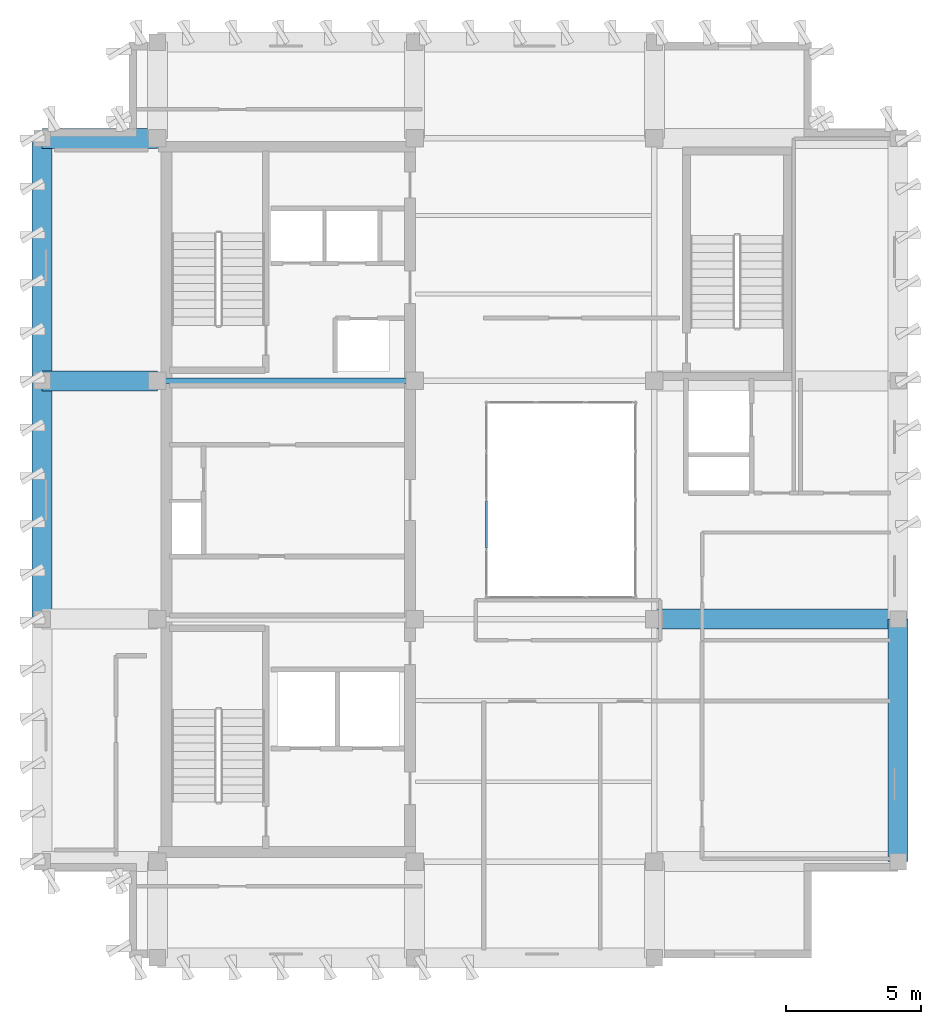
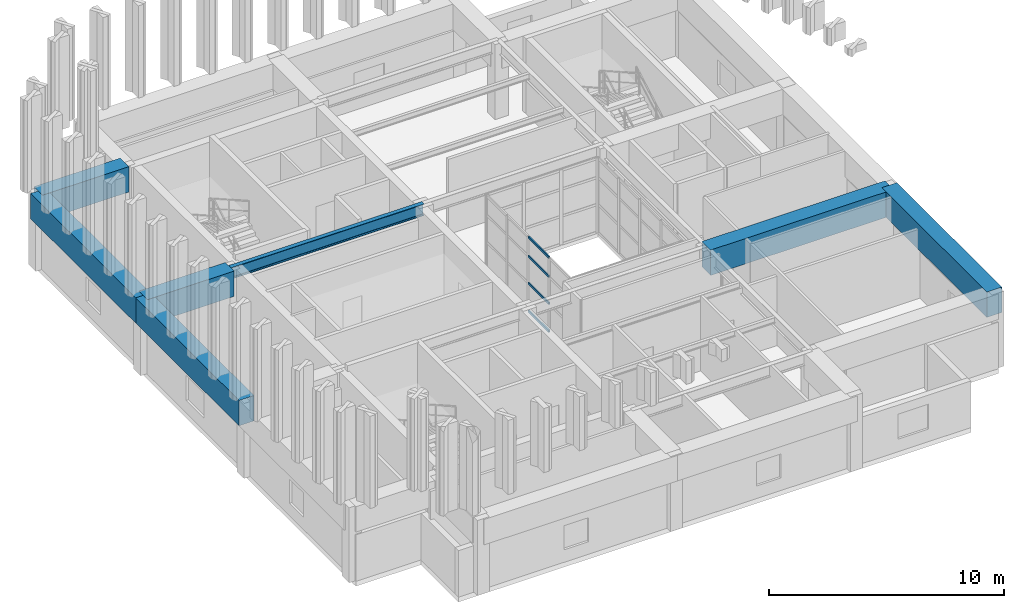
# One storey, part 3 of 11: 7 beams, 4 members, 1 element without a shape of its own.
"""IFC4 building model written with IfcOpenShell, lengths in metres."""

from ifc_helpers import new_model, si_unit, direction, frame, origin, origin_2d, place, context, subcontext, project, spatial, rectangle, hollow_rectangle, i_section, extrude, material, layer, layer_set, material_profile, profile_set, type_object, element, aggregate, save


model = new_model("IFC4")

# Units and contexts
model_context = context("Model", 3, precision=1e-05, world=origin(), true_north=direction((0.0, 1.0)))
body_context = subcontext(model_context, "Body", "Model", "MODEL_VIEW")
ifc_project = project(units=[si_unit("LENGTHUNIT", "METRE"), si_unit("AREAUNIT", "SQUARE_METRE"), si_unit("VOLUMEUNIT", "CUBIC_METRE"), si_unit("PLANEANGLEUNIT", "RADIAN"), si_unit("MASSUNIT", "GRAM", prefix="KILO")], contexts=[model_context])

# Site, building, storey
site_placement = place(None, origin())
site = spatial("IfcSite", under=ifc_project, at=site_placement, CompositionType="ELEMENT")
building_placement = place(site_placement, origin())
building = spatial("IfcBuilding", under=site, at=building_placement, Name="Kundavana Baori Tower", CompositionType="ELEMENT")
storey_placement = place(building_placement, frame((0.0, 0.0, 350.5)))
storey = spatial("IfcBuildingStorey", under=building, at=storey_placement, Name="L87", CompositionType="ELEMENT", Elevation=350.5)

# Beams
ifc_material_1 = material(Name="Structural Steel S355JR", Category="steel")
ifc_material_profile_1 = material_profile(ifc_material_1, i_section(OverallWidth=0.2099609375, OverallDepth=0.60009765625, WebThickness=0.011962890625, FlangeThickness=0.020751953125, FilletRadius=0.02001953125, at=origin_2d()), Name="ISMB 600")
ifc_profile_set_1 = profile_set([ifc_material_profile_1], Name="Structural Steel S355JR")
beam_type_1 = type_object("IfcBeamType", Name="BM-ST-600", PredefinedType="BEAM", material=ifc_profile_set_1)
beam_1_placement = place(storey_placement, frame((15.449951171875, 33.0, 3.60009765625), z_axis=(1.0, 0.0, 0.0), x_axis=(0.0, 1.0, 0.0)))
element("IfcBeam", 1, at=beam_1_placement, inside=storey, type_object=beam_type_1, Name="L87 Primary Grid Girder GX-3-1", PredefinedType="BEAM", context=body_context, shape_type="SweptSolid", body=[
    extrude(i_section(OverallWidth=0.2099609375, OverallDepth=0.60009765625, WebThickness=0.011962890625, FlangeThickness=0.020751953125, FilletRadius=0.02001953125, at=origin_2d()), origin(), (0.0, 0.0, 1.0), 9.5),
])
ifc_material_2 = material(Name="Concrete C50/60", Category="concrete")
ifc_material_profile_2 = material_profile(ifc_material_2, rectangle(XDim=0.739990234375, YDim=1.320068359375, at=origin_2d()), Name="BM-TG-5")
ifc_profile_set_2 = profile_set([ifc_material_profile_2], Name="Concrete C50/60")
beam_type_2 = type_object("IfcBeamType", Name="BM-TG-5", PredefinedType="USERDEFINED", material=ifc_profile_set_2)
beam_2_placement = place(storey_placement, frame((11.199951171875, 24.199951171875, 3.239990234375), z_axis=(0.0, 1.0, 0.0), x_axis=(-1.0, 0.0, 0.0)))
element("IfcBeam", 2, at=beam_2_placement, inside=storey, type_object=beam_type_2, Name="L87 Perimeter Frame Ring Beam W2", ObjectType="TRANSFER GIRDER", PredefinedType="USERDEFINED", context=body_context, shape_type="SweptSolid", body=[
    extrude(rectangle(XDim=0.739990234375, YDim=1.320068359375, at=origin_2d()), origin(), (0.0, 0.0, 1.0), 8.800048828125),
])
for number, where, z_axis, x_axis, name in (
    (3, (11.199951171875, 33.0, 3.239990234375), (0.0, 1.0, 0.0), (-1.0, 0.0, 0.0), "L87 Perimeter Frame Ring Beam W3"),
    (4, (42.800048828125, 15.25, 3.239990234375), (0.0, 1.0, 0.0), (-1.0, 0.0, 0.0), "L87 Perimeter Frame Ring Beam E1"),
):
    element("IfcBeam", number, at=place(storey_placement, frame(where, z_axis=z_axis, x_axis=x_axis)), inside=storey, type_object=beam_type_2, Name=name, ObjectType="TRANSFER GIRDER", PredefinedType="USERDEFINED", context=body_context, shape_type="SweptSolid", body=[
        extrude(rectangle(XDim=0.739990234375, YDim=1.320068359375, at=origin_2d()), origin(), (0.0, 0.0, 1.0), 8.949951171875),
    ])
beam_3_placement = place(storey_placement, frame((33.800048828125, 24.199951171875, 3.239990234375), z_axis=(1.0, 0.0, 0.0), x_axis=(0.0, 1.0, 0.0)))
element("IfcBeam", 5, at=beam_3_placement, inside=storey, type_object=beam_type_2, Name="L87 East Radial Transfer Girder E2", ObjectType="TRANSFER GIRDER", PredefinedType="USERDEFINED", context=body_context, shape_type="SweptSolid", body=[
    extrude(rectangle(XDim=0.739990234375, YDim=1.320068359375, at=origin_2d()), origin(), (0.0, 0.0, 1.0), 9.0),
])
for number, where, z_axis, x_axis, name in (
    (6, (15.449951171875, 33.0, 3.239990234375), (-1.0, 0.0, 0.0), (0.0, -1.0, 0.0), "L87 West Radial Transfer Girder W3"),
    (7, (15.449951171875, 41.949951171875, 3.239990234375), (-1.0, 0.0, 0.0), (0.0, -1.0, 0.0), "L87 West Radial Transfer Girder W4"),
):
    element("IfcBeam", number, at=place(storey_placement, frame(where, z_axis=z_axis, x_axis=x_axis)), inside=storey, type_object=beam_type_2, Name=name, ObjectType="TRANSFER GIRDER", PredefinedType="USERDEFINED", context=body_context, shape_type="SweptSolid", body=[
        extrude(rectangle(XDim=0.739990234375, YDim=1.320068359375, at=origin_2d()), origin(), (0.0, 0.0, 1.0), 4.25),
    ])

# Curtain wall, members
ifc_material_3 = material(Name="Thermally Broken Anodised Aluminium Framing", Category="aluminium")
ifc_layer = layer(ifc_material_3, 0.235107421875, Name="CW-SYS-6")
ifc_layer_set = layer_set([ifc_layer], Name="Thermally Broken Anodised Aluminium Framing")
curtain_wall_type = type_object("IfcCurtainWallType", Name="CW-SYS-6", PredefinedType="NOTDEFINED", material=ifc_layer_set)
curtain_wall_placement = place(storey_placement, origin())
curtain_wall = element("IfcCurtainWall", 8, at=curtain_wall_placement, inside=storey, type_object=curtain_wall_type, Name="L87 Atrium Glazed Curtain Wall W", PredefinedType="NOTDEFINED")
ifc_material_4 = material(Name="Thermally Broken Anodised Aluminium Framing", Category="aluminium")
ifc_material_profile_3 = material_profile(ifc_material_4, hollow_rectangle(XDim=0.06494140625, YDim=0.1201171875, WallThickness=0.00390625, at=origin_2d()), Name="CW-TRAN-120")
ifc_profile_set_3 = profile_set([ifc_material_profile_3], Name="Thermally Broken Anodised Aluminium Framing")
member_type = type_object("IfcMemberType", Name="CW-TRAN-120", PredefinedType="USERDEFINED", material=ifc_profile_set_3)
member_1_placement = place(storey_placement, frame((27.60009765625, 28.5673828125, 0.032470703125), z_axis=(0.0, -1.0, 0.0), x_axis=(1.0, 0.0, 0.0)))
member_1 = element("IfcMember", 9, at=member_1_placement, type_object=member_type, Name="CW6 transom 3.1", ObjectType="TRANSOM", PredefinedType="USERDEFINED", context=body_context, shape_type="SweptSolid", body=[
    extrude(hollow_rectangle(XDim=0.06494140625, YDim=0.1201171875, WallThickness=0.00390625, at=origin_2d()), origin(), (0.0, 0.0, 1.0), 1.73486328125),
])
member_2_placement = place(storey_placement, frame((27.60009765625, 28.5673828125, 1.48193359375), z_axis=(0.0, -1.0, 0.0), x_axis=(1.0, 0.0, 0.0)))
member_2 = element("IfcMember", 10, at=member_2_placement, type_object=member_type, Name="CW6 transom 3.2", ObjectType="TRANSOM", PredefinedType="USERDEFINED", context=body_context, shape_type="SweptSolid", body=[
    extrude(hollow_rectangle(XDim=0.06494140625, YDim=0.1201171875, WallThickness=0.00390625, at=origin_2d()), origin(), (0.0, 0.0, 1.0), 1.73486328125),
])
member_3_placement = place(storey_placement, frame((27.60009765625, 28.5673828125, 2.885986328125), z_axis=(0.0, -1.0, 0.0), x_axis=(1.0, 0.0, 0.0)))
member_3 = element("IfcMember", 11, at=member_3_placement, type_object=member_type, Name="CW6 transom 3.3", ObjectType="TRANSOM", PredefinedType="USERDEFINED", context=body_context, shape_type="SweptSolid", body=[
    extrude(hollow_rectangle(XDim=0.06494140625, YDim=0.1201171875, WallThickness=0.00390625, at=origin_2d()), origin(), (0.0, 0.0, 1.0), 1.73486328125),
])
member_4_placement = place(storey_placement, frame((27.60009765625, 28.5673828125, 3.867431640625), z_axis=(0.0, -1.0, 0.0), x_axis=(1.0, 0.0, 0.0)))
member_4 = element("IfcMember", 12, at=member_4_placement, type_object=member_type, Name="CW6 transom 3.4", ObjectType="TRANSOM", PredefinedType="USERDEFINED", context=body_context, shape_type="SweptSolid", body=[
    extrude(hollow_rectangle(XDim=0.06494140625, YDim=0.1201171875, WallThickness=0.00390625, at=origin_2d()), origin(), (0.0, 0.0, 1.0), 1.73486328125),
])
aggregate(curtain_wall, [member_1, member_2, member_3, member_4])

save(model, "model.ifc")
